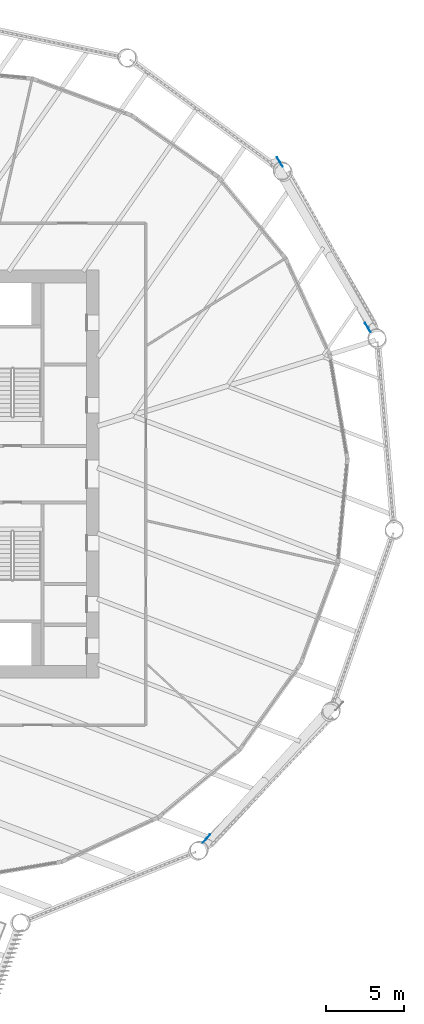
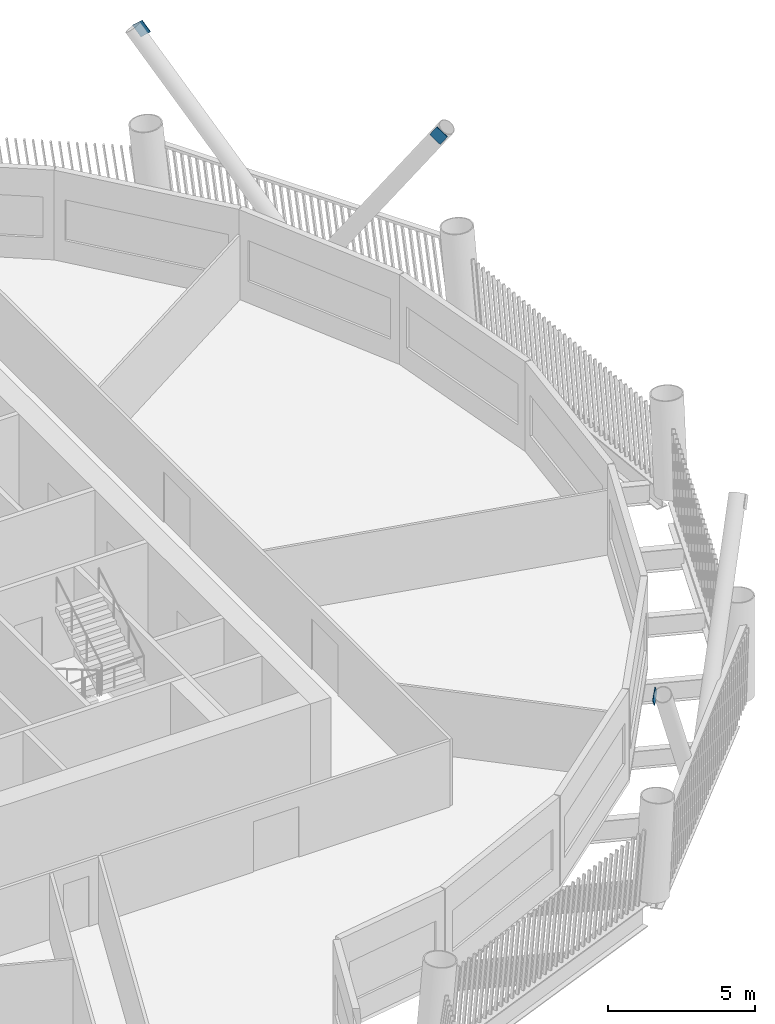
# One storey, part 13 of 23: 3 discrete accessories.
"""IFC4 building model written with IfcOpenShell, lengths in metres."""

from ifc_helpers import new_model, si_unit, direction, frame, origin, origin_2d, place, context, subcontext, project, spatial, rectangle, extrude, material, material_profile, profile_set, type_object, element, save


model = new_model("IFC4")

# Units and contexts
model_context = context("Model", 3, precision=1e-05, world=origin(), true_north=direction((0.0, 1.0)))
body_context = subcontext(model_context, "Body", "Model", "MODEL_VIEW")
ifc_project = project(units=[si_unit("LENGTHUNIT", "METRE"), si_unit("AREAUNIT", "SQUARE_METRE"), si_unit("VOLUMEUNIT", "CUBIC_METRE"), si_unit("PLANEANGLEUNIT", "RADIAN"), si_unit("MASSUNIT", "GRAM", prefix="KILO")], contexts=[model_context])

# Site, building, storey
site_placement = place(None, origin())
site = spatial("IfcSite", under=ifc_project, at=site_placement, CompositionType="ELEMENT")
building_placement = place(site_placement, origin())
building = spatial("IfcBuilding", under=site, at=building_placement, Name="Tarsis Ring Headquarters", CompositionType="ELEMENT")
storey_placement = place(building_placement, frame((0.0, 0.0, 131.800048828125)))
storey = spatial("IfcBuildingStorey", under=building, at=storey_placement, Name="L30", CompositionType="ELEMENT", Elevation=131.800048828125)

# Discrete accessories
ifc_material = material(Name="Structural steel S355", Category="steel")
ifc_material_profile = material_profile(ifc_material, rectangle(XDim=0.02490234375, YDim=0.5, at=origin_2d()), Name="PL 25x500")
ifc_profile_set = profile_set([ifc_material_profile], Name="Structural steel S355")
discrete_accessory_type = type_object("IfcDiscreteAccessoryType", Name="Gusset plate Exo brace 25", PredefinedType="BRACKET", material=ifc_profile_set)
for number, where, z_axis, x_axis, name in (
    (1, (16.760986328125, -23.3447265625, 7.800048828125), (0.374942747951, 0.417904937821, -0.82751036169), (-0.744330941645, 0.667810938298, 0.0), "Gusset plate GP5"),
    (2, (21.453857421875, 20.04150390625, 7.800048828125), (0.341792882024, -0.570794112981, -0.746573309451), (0.857945892942, 0.513740055654, 0.0), "Gusset plate GP5"),
    (3, (27.220703125, 9.216552734375, 7.800048828125), (-0.290492647141, 0.48041136939, -0.82753787715), (-0.855723028772, -0.517434148495, 0.0), "Gusset plate GP5"),
):
    element("IfcDiscreteAccessory", number, at=place(storey_placement, frame(where, z_axis=z_axis, x_axis=x_axis)), inside=storey, type_object=discrete_accessory_type, Name=name, PredefinedType="BRACKET", context=body_context, shape_type="SweptSolid", body=[
        extrude(rectangle(XDim=0.02490234375, YDim=0.5, at=origin_2d()), origin(), (0.0, 0.0, 1.0), 0.5),
    ])

save(model, "model.ifc")
